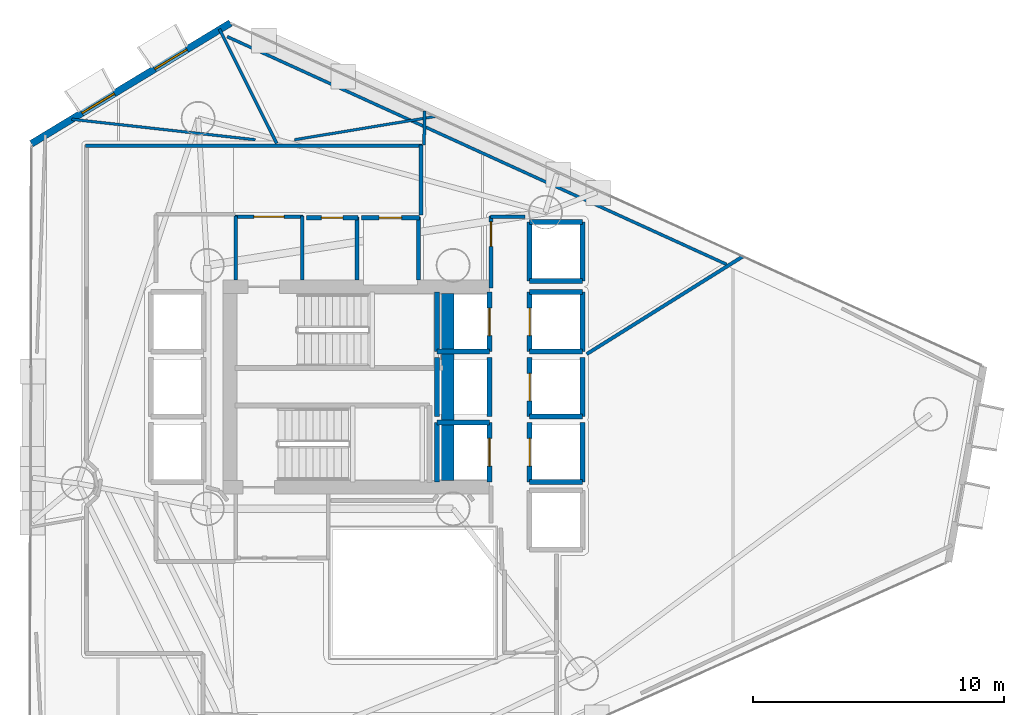
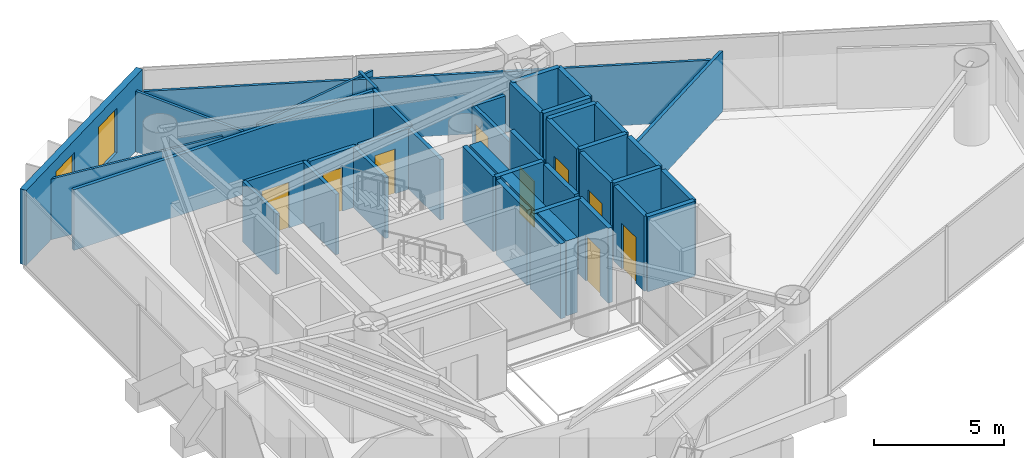
# One storey, part 19 of 23: 41 walls, 9 doors, 2 windows, 11 openings.
"""IFC4 building model written with IfcOpenShell, lengths in metres."""

from ifc_helpers import new_model, si_unit, direction, frame, frame_2d, origin, place, context, subcontext, project, spatial, rectangle, extrude, material, layer, layer_set, type_object, element, fill, save


model = new_model("IFC4")

# Units and contexts
model_context = context("Model", 3, precision=1e-05, world=origin(), true_north=direction((0.0, 1.0)))
body_context = subcontext(model_context, "Body", "Model", "MODEL_VIEW")
ifc_project = project(units=[si_unit("LENGTHUNIT", "METRE"), si_unit("AREAUNIT", "SQUARE_METRE"), si_unit("VOLUMEUNIT", "CUBIC_METRE"), si_unit("PLANEANGLEUNIT", "RADIAN"), si_unit("MASSUNIT", "GRAM", prefix="KILO")], contexts=[model_context])

# Site, building, storey
site_placement = place(None, origin())
site = spatial("IfcSite", under=ifc_project, at=site_placement, CompositionType="ELEMENT")
building_placement = place(site_placement, origin())
building = spatial("IfcBuilding", under=site, at=building_placement, Name="Qianvela Tower", CompositionType="ELEMENT")
storey_placement = place(building_placement, frame((0.0, 0.0, 147.60009765625)))
storey = spatial("IfcBuildingStorey", under=building, at=storey_placement, Name="L37", CompositionType="ELEMENT", Elevation=147.60009765625)

# Wall, openings, windows
ifc_material_1 = material(Name="Terracotta Cladding on Concrete C40", Category="masonry")
ifc_layer_1 = layer(ifc_material_1, 0.280029296875)
ifc_layer_set_1 = layer_set([ifc_layer_1], Name="Terracotta Cladding on Concrete C40")
wall_type_1 = type_object("IfcWallType", Name="TERRACOTTA-WALL-280", PredefinedType="SOLIDWALL", material=ifc_layer_set_1)
wall_1_placement = place(storey_placement, frame((29.525390625, 43.213134765625, 0.0), z_axis=(0.0, 0.0, 1.0), x_axis=(-0.855139521109, -0.518397916119, 0.0)))
wall_1 = element("IfcWall", 1, at=wall_1_placement, inside=storey, type_object=wall_type_1, Name="L37 Terracotta Chamfer Facet Wall 3", PredefinedType="SOLIDWALL", context=body_context, shape_type="SweptSolid", body=[
    extrude(rectangle(XDim=9.280029296875, YDim=0.280029296875, at=frame_2d((4.64013671875, 0.0))), origin(), (0.0, 0.0, 1.0), 3.52001953125),
])
opening_1_placement = place(wall_1_placement, frame((2.033935546875, 0.0, 0.85009765625)))
opening_1 = element("IfcOpeningElement", 2, at=opening_1_placement, cuts=wall_1, Name="Opening W-02", PredefinedType="OPENING", context=body_context, shape_type="SweptSolid", body=[
    extrude(rectangle(XDim=1.5, YDim=2.10009765625, at=frame_2d((0.75, 1.050048828125))), frame((0.0, 0.14990234375, 0.0), z_axis=(0.0, -1.0, 0.0), x_axis=(1.0, 0.0, 0.0)), (0.0, 0.0, 1.0), 0.300048828125),
])
opening_2_placement = place(wall_1_placement, frame((5.426025390625, 0.0, 0.85009765625)))
opening_2 = element("IfcOpeningElement", 3, at=opening_2_placement, cuts=wall_1, Name="Opening W-02", PredefinedType="OPENING", context=body_context, shape_type="SweptSolid", body=[
    extrude(rectangle(XDim=1.5, YDim=2.10009765625, at=frame_2d((0.75, 1.050048828125))), frame((0.0, 0.14990234375, 0.0), z_axis=(0.0, -1.0, 0.0), x_axis=(1.0, 0.0, 0.0)), (0.0, 0.0, 1.0), 0.300048828125),
])
ifc_material_2 = material(Name="Thermally Broken Aluminium and Low-E Glass", Category="aluminium")
window_type = type_object("IfcWindowType", Name="WIN-TC-1500x2100", PartitioningType="DOUBLE_PANEL_VERTICAL", PredefinedType="WINDOW", material=ifc_material_2)
window_1_placement = place(opening_1_placement, origin())
window_1 = element("IfcWindow", 4, at=window_1_placement, inside=storey, type_object=window_type, Name="L37 Chamfer Facet Window 3.1", OverallHeight=2.10009765625, OverallWidth=1.5, PartitioningType="SINGLE_PANEL", PredefinedType="WINDOW", context=body_context, shape_type="SweptSolid", body=[
    extrude(rectangle(XDim=1.5, YDim=2.10009765625, at=frame_2d((0.75, 1.050048828125))), frame((0.0, 0.030029296875, 0.0), z_axis=(0.0, -1.0, 0.0), x_axis=(1.0, 0.0, 0.0)), (0.0, 0.0, 1.0), 0.06005859375),
])
fill(opening_1, window_1)
window_2_placement = place(opening_2_placement, origin())
window_2 = element("IfcWindow", 5, at=window_2_placement, inside=storey, type_object=window_type, Name="L37 Chamfer Facet Window 3.2", OverallHeight=2.10009765625, OverallWidth=1.5, PartitioningType="SINGLE_PANEL", PredefinedType="WINDOW", context=body_context, shape_type="SweptSolid", body=[
    extrude(rectangle(XDim=1.5, YDim=2.10009765625, at=frame_2d((0.75, 1.050048828125))), frame((0.0, 0.030029296875, 0.0), z_axis=(0.0, -1.0, 0.0), x_axis=(1.0, 0.0, 0.0)), (0.0, 0.0, 1.0), 0.06005859375),
])
fill(opening_2, window_2)

# Walls
ifc_material_3 = material(Name="Concrete C60", Category="concrete")
ifc_layer_2 = layer(ifc_material_3, 0.550048828125)
ifc_layer_set_2 = layer_set([ifc_layer_2], Name="Concrete C60")
wall_type_2 = type_object("IfcWallType", Name="WT-CORE-550", PredefinedType="SHEAR", material=ifc_layer_set_2)
wall_2_placement = place(storey_placement, frame((38.179931640625, 24.97998046875, 0.0), z_axis=(0.0, 0.0, 1.0), x_axis=(0.0, 1.0, 0.0)))
element("IfcWall", 6, at=wall_2_placement, inside=storey, type_object=wall_type_2, Name="L37 East Spine Core Shear Wall", PredefinedType="SHEAR", context=body_context, shape_type="SweptSolid", body=[
    extrude(rectangle(XDim=7.43994140625, YDim=0.5, at=frame_2d((3.719970703125, 0.0))), origin(), (0.0, 0.0, 1.0), 3.52001953125),
])
ifc_material_4 = material(Name="Fire-Rated Acoustic Gypsum Board")
ifc_layer_3 = layer(ifc_material_4, 0.14990234375)
ifc_layer_set_3 = layer_set([ifc_layer_3], Name="Fire-Rated Acoustic Gypsum Board")
wall_type_3 = type_object("IfcWallType", Name="WT-CORR-150", PredefinedType="PARTITIONING", material=ifc_layer_set_3)
wall_3_placement = place(storey_placement, frame((29.73095703125, 32.9580078125, 0.0), z_axis=(0.0, 0.0, 1.0), x_axis=(0.0, 1.0, 0.0)))
element("IfcWall", 7, at=wall_3_placement, inside=storey, type_object=wall_type_3, Name="L37 Partition 2", PredefinedType="PARTITIONING", context=body_context, shape_type="SweptSolid", body=[
    extrude(rectangle(XDim=2.56201171875, YDim=0.14990234375, at=frame_2d((1.281005859375, 0.0))), origin(), (0.0, 0.0, 1.0), 2.83984375),
])

# Wall, opening, door
wall_4_placement = place(storey_placement, frame((29.699951171875, 35.489013671875, 0.0), z_axis=(0.0, 0.0, 1.0), x_axis=(1.0, 0.0, 0.0)))
wall_4 = element("IfcWall", 8, at=wall_4_placement, inside=storey, type_object=wall_type_3, Name="L37 Partition 3", PredefinedType="PARTITIONING", context=body_context, shape_type="SweptSolid", body=[
    extrude(rectangle(XDim=2.719970703125, YDim=0.14990234375, at=frame_2d((1.35986328125, 0.0))), origin(), (0.0, 0.0, 1.0), 2.83984375),
])
opening_3_placement = place(wall_4_placement, frame((0.760009765625, 0.0, 0.0)))
opening_3 = element("IfcOpeningElement", 9, at=opening_3_placement, cuts=wall_4, Name="Opening D-LB1", PredefinedType="OPENING", context=body_context, shape_type="SweptSolid", body=[
    extrude(rectangle(XDim=1.199951171875, YDim=2.14990234375, at=frame_2d((0.60009765625, 1.074951171875))), frame((0.0, 0.0849609375, 0.0), z_axis=(0.0, -1.0, 0.0), x_axis=(1.0, 0.0, 0.0)), (0.0, 0.0, 1.0), 0.169921875),
])
ifc_material_5 = material(Name="Glazed Fire-Rated Steel Frame", Category="steel")
door_type_1 = type_object("IfcDoorType", Name="DT-LOBBY-FD90", OperationType="NOTDEFINED", PredefinedType="DOOR", material=ifc_material_5)
door_1_placement = place(opening_3_placement, origin())
door_1 = element("IfcDoor", 10, at=door_1_placement, inside=storey, type_object=door_type_1, Name="L37 Door L37 Firefighting Lobby North to L37 Floor Corridor", OperationType="SINGLE_SWING_LEFT", OverallHeight=2.14990234375, OverallWidth=1.199951171875, PredefinedType="DOOR", context=body_context, shape_type="SweptSolid", body=[
    extrude(rectangle(XDim=1.199951171875, YDim=2.14990234375, at=frame_2d((0.60009765625, 1.074951171875))), frame((0.0, 0.02490234375, 0.0), z_axis=(0.0, -1.0, 0.0), x_axis=(1.0, 0.0, 0.0)), (0.0, 0.0, 1.0), 0.050048828125),
])
fill(opening_3, door_1)

# Wall
wall_5_placement = place(storey_placement, frame((32.388916015625, 35.52001953125, 0.0), z_axis=(0.0, 0.0, 1.0), x_axis=(0.0, -1.0, 0.0)))
element("IfcWall", 11, at=wall_5_placement, inside=storey, type_object=wall_type_3, Name="L37 Partition 4", PredefinedType="PARTITIONING", context=body_context, shape_type="SweptSolid", body=[
    extrude(rectangle(XDim=2.56201171875, YDim=0.14990234375, at=frame_2d((1.281005859375, 0.0))), origin(), (0.0, 0.0, 1.0), 2.83984375),
])

# Wall, opening, door
wall_6_placement = place(storey_placement, frame((39.910888671875, 32.639892578125, 0.0), z_axis=(0.0, 0.0, 1.0), x_axis=(0.0, 1.0, 0.0)))
wall_6 = element("IfcWall", 12, at=wall_6_placement, inside=storey, type_object=wall_type_3, Name="L37 Partition 12", PredefinedType="PARTITIONING", context=body_context, shape_type="SweptSolid", body=[
    extrude(rectangle(XDim=2.880126953125, YDim=0.14990234375, at=frame_2d((1.43994140625, 0.0))), origin(), (0.0, 0.0, 1.0), 2.83984375),
])
opening_4_placement = place(wall_6_placement, frame((1.669921875, 0.0, 0.0)))
opening_4 = element("IfcOpeningElement", 13, at=opening_4_placement, cuts=wall_6, Name="Opening D-RM1", PredefinedType="OPENING", context=body_context, shape_type="SweptSolid", body=[
    extrude(rectangle(XDim=0.97998046875, YDim=2.10009765625, at=frame_2d((0.489990234375, 1.050048828125))), frame((0.0, 0.0849609375, 0.0), z_axis=(0.0, -1.0, 0.0), x_axis=(1.0, 0.0, 0.0)), (0.0, 0.0, 1.0), 0.169921875),
])
ifc_material_6 = material(Name="Solid Core Acoustic Timber Fire Door", Category="wood")
door_type_2 = type_object("IfcDoorType", Name="DT-ROOM-FD60", OperationType="NOTDEFINED", PredefinedType="DOOR", material=ifc_material_6)
door_2_placement = place(opening_4_placement, origin())
door_2 = element("IfcDoor", 14, at=door_2_placement, inside=storey, type_object=door_type_2, Name="L37 Door Stationery Supply Boutique L37-05 to L37 Lift Lobby", OperationType="SINGLE_SWING_RIGHT", OverallHeight=2.10009765625, OverallWidth=0.97998046875, PredefinedType="DOOR", context=body_context, shape_type="SweptSolid", body=[
    extrude(rectangle(XDim=0.97998046875, YDim=2.10009765625, at=frame_2d((0.489990234375, 1.050048828125))), frame((0.0, 0.02490234375, 0.0), z_axis=(0.0, -1.0, 0.0), x_axis=(1.0, 0.0, 0.0)), (0.0, 0.0, 1.0), 0.050048828125),
])
fill(opening_4, door_2)

# Walls
wall_7_placement = place(storey_placement, frame((39.8798828125, 35.489013671875, 0.0), z_axis=(0.0, 0.0, 1.0), x_axis=(1.0, 0.0, 0.0)))
element("IfcWall", 15, at=wall_7_placement, inside=storey, type_object=wall_type_3, Name="L37 Partition 13", PredefinedType="PARTITIONING", context=body_context, shape_type="SweptSolid", body=[
    extrude(rectangle(XDim=1.3828125, YDim=0.14990234375, at=frame_2d((0.69140625, 0.0))), origin(), (0.0, 0.0, 1.0), 2.83984375),
])
wall_8_placement = place(storey_placement, frame((23.75, 38.319091796875, 0.0), z_axis=(0.0, 0.0, 1.0), x_axis=(1.0, 0.0, 0.0)))
element("IfcWall", 16, at=wall_8_placement, inside=storey, type_object=wall_type_3, Name="L37 Partition 46", PredefinedType="PARTITIONING", context=body_context, shape_type="SweptSolid", body=[
    extrude(rectangle(XDim=13.39990234375, YDim=0.14990234375, at=frame_2d((6.699951171875, 0.0))), origin(), (0.0, 0.0, 1.0), 2.83984375),
])
wall_9_placement = place(storey_placement, frame((37.118896484375, 38.35009765625, 0.0), z_axis=(0.0, 0.0, 1.0), x_axis=(0.0, -1.0, 0.0)))
element("IfcWall", 17, at=wall_9_placement, inside=storey, type_object=wall_type_3, Name="L37 Partition 47 seg 1", PredefinedType="PARTITIONING", context=body_context, shape_type="SweptSolid", body=[
    extrude(rectangle(XDim=2.7900390625, YDim=0.14990234375, at=frame_2d((1.39501953125, 0.0))), origin(), (0.0, 0.0, 1.0), 2.83984375),
])
ifc_material_7 = material(Name="Lightweight Gypsum Room Partition")
ifc_layer_4 = layer(ifc_material_7, 0.10498046875)
ifc_layer_set_4 = layer_set([ifc_layer_4], Name="Lightweight Gypsum Room Partition")
wall_type_4 = type_object("IfcWallType", Name="WT-PART-105", PredefinedType="PARTITIONING", material=ifc_layer_set_4)
wall_10_placement = place(storey_placement, frame((30.5126953125, 38.55908203125, 0.0), z_axis=(0.0, 0.0, 1.0), x_axis=(-0.993829835161, 0.110915547798, 0.0)))
element("IfcWall", 18, at=wall_10_placement, inside=storey, type_object=wall_type_4, Name="L37 Partition 105 seg 1", PredefinedType="PARTITIONING", context=body_context, shape_type="SweptSolid", body=[
    extrude(rectangle(XDim=7.36279296875, YDim=0.10498046875, at=frame_2d((3.681396484375, 0.0))), origin(), (0.0, 0.0, 1.0), 2.83984375),
])
wall_11_placement = place(storey_placement, frame((37.69384765625, 39.48828125, 0.0), z_axis=(0.0, 0.0, 1.0), x_axis=(-0.986591392512, -0.163209755288, 0.0)))
element("IfcWall", 19, at=wall_11_placement, inside=storey, type_object=wall_type_4, Name="L37 Partition 114 seg 1", PredefinedType="PARTITIONING", context=body_context, shape_type="SweptSolid", body=[
    extrude(rectangle(XDim=5.693359375, YDim=0.10498046875, at=frame_2d((2.8466796875, 0.0))), origin(), (0.0, 0.0, 1.0), 2.83984375),
])
ifc_material_8 = material(Name="Insulated Gypsum Stud Partition")
ifc_layer_5 = layer(ifc_material_8, 0.1201171875)
ifc_layer_set_5 = layer_set([ifc_layer_5], Name="Insulated Gypsum Stud Partition")
wall_type_5 = type_object("IfcWallType", Name="WT-PART-120", PredefinedType="PARTITIONING", material=ifc_layer_set_5)
wall_12_placement = place(storey_placement, frame((29.08203125, 42.9677734375, 0.0), z_axis=(0.0, 0.0, 1.0), x_axis=(0.448019013955, -0.894024028276, 0.0)))
element("IfcWall", 20, at=wall_12_placement, inside=storey, type_object=wall_type_5, Name="L37 Partition 104", PredefinedType="PARTITIONING", context=body_context, shape_type="SweptSolid", body=[
    extrude(rectangle(XDim=5.09130859375, YDim=0.1201171875, at=frame_2d((2.545654296875, 0.0))), origin(), (0.0, 0.0, 1.0), 2.83984375),
])
wall_13_placement = place(storey_placement, frame((37.2421875, 38.35009765625, 0.0), z_axis=(0.0, 0.0, 1.0), x_axis=(0.014227666381, 0.999898781632, 0.0)))
element("IfcWall", 21, at=wall_13_placement, inside=storey, type_object=wall_type_5, Name="L37 Partition 113 seg 2", PredefinedType="PARTITIONING", context=body_context, shape_type="SweptSolid", body=[
    extrude(rectangle(XDim=1.355712890625, YDim=0.1201171875, at=frame_2d((0.677734375, 0.0))), origin(), (0.0, 0.0, 1.0), 2.83984375),
])
wall_14_placement = place(storey_placement, frame((29.389892578125, 42.669189453125, 0.0), z_axis=(0.0, 0.0, 1.0), x_axis=(0.90986951671, -0.414894519802, 0.0)))
element("IfcWall", 22, at=wall_14_placement, inside=storey, type_object=wall_type_5, Name="L37 Partition 116", PredefinedType="PARTITIONING", context=body_context, shape_type="SweptSolid", body=[
    extrude(rectangle(XDim=21.883544921875, YDim=0.1201171875, at=frame_2d((10.94189453125, 0.0))), origin(), (0.0, 0.0, 1.0), 2.83984375),
])

# Wall, opening, door
ifc_material_9 = material(Name="Sanitary Service Chase Partition")
ifc_layer_6 = layer(ifc_material_9, 0.1650390625)
ifc_layer_set_6 = layer_set([ifc_layer_6], Name="Sanitary Service Chase Partition")
wall_type_6 = type_object("IfcWallType", Name="WT-PLUMB-165", PredefinedType="PLUMBINGWALL", material=ifc_layer_set_6)
wall_15_placement = place(storey_placement, frame((32.550048828125, 35.448974609375, 0.0), z_axis=(0.0, 0.0, 1.0), x_axis=(1.0, 0.0, 0.0)))
wall_15 = element("IfcWall", 23, at=wall_15_placement, inside=storey, type_object=wall_type_6, Name="L37 Partition 22", PredefinedType="PLUMBINGWALL", context=body_context, shape_type="SweptSolid", body=[
    extrude(rectangle(XDim=2.050048828125, YDim=0.1650390625, at=frame_2d((1.02490234375, 0.0))), origin(), (0.0, 0.0, 1.0), 2.83984375),
])
opening_5_placement = place(wall_15_placement, frame((0.594970703125, 0.0, 0.0)))
opening_5 = element("IfcOpeningElement", 24, at=opening_5_placement, cuts=wall_15, Name="Opening D-WC1", PredefinedType="OPENING", context=body_context, shape_type="SweptSolid", body=[
    extrude(rectangle(XDim=0.860107421875, YDim=2.050048828125, at=frame_2d((0.43017578125, 1.02490234375))), frame((0.0, 0.092529296875, 0.0), z_axis=(0.0, -1.0, 0.0), x_axis=(1.0, 0.0, 0.0)), (0.0, 0.0, 1.0), 0.18505859375),
])
ifc_material_10 = material(Name="Moisture-Sealed Acoustic Timber Door", Category="wood")
door_type_3 = type_object("IfcDoorType", Name="DT-WC-860", OperationType="NOTDEFINED", PredefinedType="DOOR", material=ifc_material_10)
door_3_placement = place(opening_5_placement, origin())
door_3 = element("IfcDoor", 25, at=door_3_placement, inside=storey, type_object=door_type_3, Name="L37 Door L37 Accessible WC to L37 Floor Corridor", OperationType="SINGLE_SWING_RIGHT", OverallHeight=2.050048828125, OverallWidth=0.860107421875, PredefinedType="DOOR", context=body_context, shape_type="SweptSolid", body=[
    extrude(rectangle(XDim=0.860107421875, YDim=2.050048828125, at=frame_2d((0.43017578125, 1.02490234375))), frame((0.0, 0.02490234375, 0.0), z_axis=(0.0, -1.0, 0.0), x_axis=(1.0, 0.0, 0.0)), (0.0, 0.0, 1.0), 0.050048828125),
])
fill(opening_5, door_3)

# Wall
wall_16_placement = place(storey_placement, frame((34.569091796875, 35.47998046875, 0.0), z_axis=(0.0, 0.0, 1.0), x_axis=(0.0, -1.0, 0.0)))
element("IfcWall", 26, at=wall_16_placement, inside=storey, type_object=wall_type_6, Name="L37 Partition 23", PredefinedType="PLUMBINGWALL", context=body_context, shape_type="SweptSolid", body=[
    extrude(rectangle(XDim=2.52197265625, YDim=0.1650390625, at=frame_2d((1.260986328125, 0.0))), origin(), (0.0, 0.0, 1.0), 2.83984375),
])

# Wall, opening, door
wall_17_placement = place(storey_placement, frame((34.75, 35.448974609375, 0.0), z_axis=(0.0, 0.0, 1.0), x_axis=(1.0, 0.0, 0.0)))
wall_17 = element("IfcWall", 27, at=wall_17_placement, inside=storey, type_object=wall_type_6, Name="L37 Partition 26", PredefinedType="PLUMBINGWALL", context=body_context, shape_type="SweptSolid", body=[
    extrude(rectangle(XDim=2.300048828125, YDim=0.1650390625, at=frame_2d((1.14990234375, 0.0))), origin(), (0.0, 0.0, 1.0), 2.83984375),
])
opening_6_placement = place(wall_17_placement, frame((0.699951171875, 0.0, 0.0)))
opening_6 = element("IfcOpeningElement", 28, at=opening_6_placement, cuts=wall_17, Name="Opening D-KT1", PredefinedType="OPENING", context=body_context, shape_type="SweptSolid", body=[
    extrude(rectangle(XDim=0.89990234375, YDim=2.10009765625, at=frame_2d((0.449951171875, 1.050048828125))), frame((0.0, 0.092529296875, 0.0), z_axis=(0.0, -1.0, 0.0), x_axis=(1.0, 0.0, 0.0)), (0.0, 0.0, 1.0), 0.18505859375),
])
ifc_material_11 = material(Name="Glazed Timber Kitchen Door", Category="wood")
door_type_4 = type_object("IfcDoorType", Name="DT-KITCH-900", OperationType="NOTDEFINED", PredefinedType="DOOR", material=ifc_material_11)
door_4_placement = place(opening_6_placement, origin())
door_4 = element("IfcDoor", 29, at=door_4_placement, inside=storey, type_object=door_type_4, Name="L37 Door L37 Core Tea Pantry to L37 Floor Corridor", OperationType="SINGLE_SWING_LEFT", OverallHeight=2.10009765625, OverallWidth=0.89990234375, PredefinedType="DOOR", context=body_context, shape_type="SweptSolid", body=[
    extrude(rectangle(XDim=0.89990234375, YDim=2.10009765625, at=frame_2d((0.449951171875, 1.050048828125))), frame((0.0, 0.02490234375, 0.0), z_axis=(0.0, -1.0, 0.0), x_axis=(1.0, 0.0, 0.0)), (0.0, 0.0, 1.0), 0.050048828125),
])
fill(opening_6, door_4)

# Walls
wall_18_placement = place(storey_placement, frame((37.01904296875, 35.47998046875, 0.0), z_axis=(0.0, 0.0, 1.0), x_axis=(0.0, -1.0, 0.0)))
element("IfcWall", 30, at=wall_18_placement, inside=storey, type_object=wall_type_6, Name="L37 Partition 27", PredefinedType="PLUMBINGWALL", context=body_context, shape_type="SweptSolid", body=[
    extrude(rectangle(XDim=2.52197265625, YDim=0.1650390625, at=frame_2d((1.260986328125, 0.0))), origin(), (0.0, 0.0, 1.0), 2.83984375),
])
ifc_material_12 = material(Name="Acoustic Double Gypsum Stud Partition")
ifc_layer_7 = layer(ifc_material_12, 0.139892578125)
ifc_layer_set_7 = layer_set([ifc_layer_7], Name="Acoustic Double Gypsum Stud Partition")
wall_type_7 = type_object("IfcWallType", Name="WT-ROOM-140", PredefinedType="PARTITIONING", material=ifc_layer_set_7)
wall_19_placement = place(storey_placement, frame((43.723388671875, 30.014892578125, 0.0), z_axis=(0.0, 0.0, 1.0), x_axis=(0.848054240765, 0.529909430677, 0.0)))
element("IfcWall", 31, at=wall_19_placement, inside=storey, type_object=wall_type_7, Name="L37 Partition 94", PredefinedType="PARTITIONING", context=body_context, shape_type="SweptSolid", body=[
    extrude(rectangle(XDim=7.35546875, YDim=0.139892578125, at=frame_2d((3.677734375, 0.0))), origin(), (0.0, 0.0, 1.0), 2.83984375),
])

# Wall, opening, door
ifc_material_13 = material(Name="Concrete C50", Category="concrete")
ifc_layer_8 = layer(ifc_material_13, 0.199951171875)
ifc_layer_set_8 = layer_set([ifc_layer_8], Name="Concrete C50")
wall_type_8 = type_object("IfcWallType", Name="WT-SHAFT-200", PredefinedType="SOLIDWALL", material=ifc_layer_set_8)
wall_20_placement = place(storey_placement, frame((39.85009765625, 30.1201171875, 0.0), z_axis=(0.0, 0.0, 1.0), x_axis=(0.0, 1.0, 0.0)))
wall_20 = element("IfcWall", 32, at=wall_20_placement, inside=storey, type_object=wall_type_8, Name="L37 Lift FL-1 E Shaft Wall", PredefinedType="SOLIDWALL", context=body_context, shape_type="SweptSolid", body=[
    extrude(rectangle(XDim=2.35986328125, YDim=0.199951171875, at=frame_2d((1.179931640625, 0.0))), origin(), (0.0, 0.0, 1.0), 3.52001953125),
])
opening_7_placement = place(wall_20_placement, frame((0.6298828125, 0.0, 0.0)))
opening_7 = element("IfcOpeningElement", 33, at=opening_7_placement, cuts=wall_20, Name="Opening LD-01", PredefinedType="OPENING", context=body_context, shape_type="SweptSolid", body=[
    extrude(rectangle(XDim=1.10009765625, YDim=2.14990234375, at=frame_2d((0.550048828125, 1.074951171875))), frame((0.0, 0.10986328125, 0.0), z_axis=(0.0, -1.0, 0.0), x_axis=(1.0, 0.0, 0.0)), (0.0, 0.0, 1.0), 0.219970703125),
])
ifc_material_14 = material(Name="Brushed Stainless Steel Lift Landing Door", Category="steel")
door_type_5 = type_object("IfcDoorType", Name="DT-LIFT-SLIDE-1100", OperationType="SLIDING_TO_LEFT", PredefinedType="DOOR", material=ifc_material_14)
door_5_placement = place(opening_7_placement, origin())
door_5 = element("IfcDoor", 34, at=door_5_placement, inside=storey, type_object=door_type_5, Name="L37 Lift FL-1 Sliding Landing Door", OperationType="SLIDING_TO_LEFT", OverallHeight=2.14990234375, OverallWidth=1.10009765625, PredefinedType="DOOR", context=body_context, shape_type="SweptSolid", body=[
    extrude(rectangle(XDim=1.10009765625, YDim=2.14990234375, at=frame_2d((0.550048828125, 1.074951171875))), frame((0.0, 0.02490234375, 0.0), z_axis=(0.0, -1.0, 0.0), x_axis=(1.0, 0.0, 0.0)), (0.0, 0.0, 1.0), 0.050048828125),
])
fill(opening_7, door_5)

# Walls
wall_21_placement = place(storey_placement, frame((37.75, 30.1201171875, 0.0), z_axis=(0.0, 0.0, 1.0), x_axis=(0.0, 1.0, 0.0)))
element("IfcWall", 35, at=wall_21_placement, inside=storey, type_object=wall_type_8, Name="L37 Lift FL-1 W Shaft Wall", PredefinedType="SOLIDWALL", context=body_context, shape_type="SweptSolid", body=[
    extrude(rectangle(XDim=2.35986328125, YDim=0.199951171875, at=frame_2d((1.179931640625, 0.0))), origin(), (0.0, 0.0, 1.0), 3.52001953125),
])
wall_22_placement = place(storey_placement, frame((37.75, 30.1201171875, 0.0), z_axis=(0.0, 0.0, 1.0), x_axis=(1.0, 0.0, 0.0)))
element("IfcWall", 36, at=wall_22_placement, inside=storey, type_object=wall_type_8, Name="L37 Lift FL-1 S Shaft Wall", PredefinedType="SOLIDWALL", context=body_context, shape_type="SweptSolid", body=[
    extrude(rectangle(XDim=2.10009765625, YDim=0.199951171875, at=frame_2d((1.050048828125, 0.0))), origin(), (0.0, 0.0, 1.0), 3.52001953125),
])

# Wall, opening, door
wall_23_placement = place(storey_placement, frame((39.85009765625, 24.919921875, 0.0), z_axis=(0.0, 0.0, 1.0), x_axis=(0.0, 1.0, 0.0)))
wall_23 = element("IfcWall", 37, at=wall_23_placement, inside=storey, type_object=wall_type_8, Name="L37 Lift FL-2 E Shaft Wall", PredefinedType="SOLIDWALL", context=body_context, shape_type="SweptSolid", body=[
    extrude(rectangle(XDim=2.360107421875, YDim=0.199951171875, at=frame_2d((1.18017578125, 0.0))), origin(), (0.0, 0.0, 1.0), 3.52001953125),
])
opening_8_placement = place(wall_23_placement, frame((0.6298828125, 0.0, 0.0)))
opening_8 = element("IfcOpeningElement", 38, at=opening_8_placement, cuts=wall_23, Name="Opening LD-01", PredefinedType="OPENING", context=body_context, shape_type="SweptSolid", body=[
    extrude(rectangle(XDim=1.10009765625, YDim=2.14990234375, at=frame_2d((0.550048828125, 1.074951171875))), frame((0.0, 0.10986328125, 0.0), z_axis=(0.0, -1.0, 0.0), x_axis=(1.0, 0.0, 0.0)), (0.0, 0.0, 1.0), 0.219970703125),
])
door_6_placement = place(opening_8_placement, origin())
door_6 = element("IfcDoor", 39, at=door_6_placement, inside=storey, type_object=door_type_5, Name="L37 Lift FL-2 Sliding Landing Door", OperationType="SLIDING_TO_LEFT", OverallHeight=2.14990234375, OverallWidth=1.10009765625, PredefinedType="DOOR", context=body_context, shape_type="SweptSolid", body=[
    extrude(rectangle(XDim=1.10009765625, YDim=2.14990234375, at=frame_2d((0.550048828125, 1.074951171875))), frame((0.0, 0.02490234375, 0.0), z_axis=(0.0, -1.0, 0.0), x_axis=(1.0, 0.0, 0.0)), (0.0, 0.0, 1.0), 0.050048828125),
])
fill(opening_8, door_6)

# Walls
wall_24_placement = place(storey_placement, frame((37.75, 24.919921875, 0.0), z_axis=(0.0, 0.0, 1.0), x_axis=(0.0, 1.0, 0.0)))
element("IfcWall", 40, at=wall_24_placement, inside=storey, type_object=wall_type_8, Name="L37 Lift FL-2 W Shaft Wall", PredefinedType="SOLIDWALL", context=body_context, shape_type="SweptSolid", body=[
    extrude(rectangle(XDim=2.360107421875, YDim=0.199951171875, at=frame_2d((1.18017578125, 0.0))), origin(), (0.0, 0.0, 1.0), 3.52001953125),
])
wall_25_placement = place(storey_placement, frame((37.75, 27.280029296875, 0.0), z_axis=(0.0, 0.0, 1.0), x_axis=(1.0, 0.0, 0.0)))
element("IfcWall", 41, at=wall_25_placement, inside=storey, type_object=wall_type_8, Name="L37 Lift FL-2 N Shaft Wall", PredefinedType="SOLIDWALL", context=body_context, shape_type="SweptSolid", body=[
    extrude(rectangle(XDim=2.10009765625, YDim=0.199951171875, at=frame_2d((1.050048828125, 0.0))), origin(), (0.0, 0.0, 1.0), 3.52001953125),
])
wall_26_placement = place(storey_placement, frame((43.550048828125, 30.1201171875, 0.0), z_axis=(0.0, 0.0, 1.0), x_axis=(0.0, 1.0, 0.0)))
element("IfcWall", 42, at=wall_26_placement, inside=storey, type_object=wall_type_8, Name="L37 Lift PL-M1 E Shaft Wall", PredefinedType="SOLIDWALL", context=body_context, shape_type="SweptSolid", body=[
    extrude(rectangle(XDim=2.35986328125, YDim=0.199951171875, at=frame_2d((1.179931640625, 0.0))), origin(), (0.0, 0.0, 1.0), 3.52001953125),
])

# Wall, opening, door
wall_27_placement = place(storey_placement, frame((41.449951171875, 30.1201171875, 0.0), z_axis=(0.0, 0.0, 1.0), x_axis=(0.0, 1.0, 0.0)))
wall_27 = element("IfcWall", 43, at=wall_27_placement, inside=storey, type_object=wall_type_8, Name="L37 Lift PL-M1 W Shaft Wall", PredefinedType="SOLIDWALL", context=body_context, shape_type="SweptSolid", body=[
    extrude(rectangle(XDim=2.35986328125, YDim=0.199951171875, at=frame_2d((1.179931640625, 0.0))), origin(), (0.0, 0.0, 1.0), 3.52001953125),
])
opening_9_placement = place(wall_27_placement, frame((0.6298828125, 0.0, 0.0)))
opening_9 = element("IfcOpeningElement", 44, at=opening_9_placement, cuts=wall_27, Name="Opening LD-01", PredefinedType="OPENING", context=body_context, shape_type="SweptSolid", body=[
    extrude(rectangle(XDim=1.10009765625, YDim=2.14990234375, at=frame_2d((0.550048828125, 1.074951171875))), frame((0.0, 0.10986328125, 0.0), z_axis=(0.0, -1.0, 0.0), x_axis=(1.0, 0.0, 0.0)), (0.0, 0.0, 1.0), 0.219970703125),
])
door_7_placement = place(opening_9_placement, origin())
door_7 = element("IfcDoor", 45, at=door_7_placement, inside=storey, type_object=door_type_5, Name="L37 Lift PL-M1 Sliding Landing Door", OperationType="SLIDING_TO_LEFT", OverallHeight=2.14990234375, OverallWidth=1.10009765625, PredefinedType="DOOR", context=body_context, shape_type="SweptSolid", body=[
    extrude(rectangle(XDim=1.10009765625, YDim=2.14990234375, at=frame_2d((0.550048828125, 1.074951171875))), frame((0.0, 0.02490234375, 0.0), z_axis=(0.0, -1.0, 0.0), x_axis=(1.0, 0.0, 0.0)), (0.0, 0.0, 1.0), 0.050048828125),
])
fill(opening_9, door_7)

# Walls
for number, where, z_axis, x_axis, name in (
    (46, (41.449951171875, 32.47998046875, 0.0), (0.0, 0.0, 1.0), (1.0, 0.0, 0.0), "L37 Lift PL-M1 N Shaft Wall"),
    (47, (41.449951171875, 30.1201171875, 0.0), (0.0, 0.0, 1.0), (1.0, 0.0, 0.0), "L37 Lift PL-M1 S Shaft Wall"),
):
    element("IfcWall", number, at=place(storey_placement, frame(where, z_axis=z_axis, x_axis=x_axis)), inside=storey, type_object=wall_type_8, Name=name, PredefinedType="SOLIDWALL", context=body_context, shape_type="SweptSolid", body=[
        extrude(rectangle(XDim=2.10009765625, YDim=0.199951171875, at=frame_2d((1.050048828125, 0.0))), origin(), (0.0, 0.0, 1.0), 3.52001953125),
    ])
wall_28_placement = place(storey_placement, frame((43.550048828125, 27.52001953125, 0.0), z_axis=(0.0, 0.0, 1.0), x_axis=(0.0, 1.0, 0.0)))
element("IfcWall", 48, at=wall_28_placement, inside=storey, type_object=wall_type_8, Name="L37 Lift PL-M2 E Shaft Wall", PredefinedType="SOLIDWALL", context=body_context, shape_type="SweptSolid", body=[
    extrude(rectangle(XDim=2.35986328125, YDim=0.199951171875, at=frame_2d((1.179931640625, 0.0))), origin(), (0.0, 0.0, 1.0), 3.52001953125),
])

# Wall, opening, door
wall_29_placement = place(storey_placement, frame((41.449951171875, 27.52001953125, 0.0), z_axis=(0.0, 0.0, 1.0), x_axis=(0.0, 1.0, 0.0)))
wall_29 = element("IfcWall", 49, at=wall_29_placement, inside=storey, type_object=wall_type_8, Name="L37 Lift PL-M2 W Shaft Wall", PredefinedType="SOLIDWALL", context=body_context, shape_type="SweptSolid", body=[
    extrude(rectangle(XDim=2.35986328125, YDim=0.199951171875, at=frame_2d((1.179931640625, 0.0))), origin(), (0.0, 0.0, 1.0), 3.52001953125),
])
opening_10_placement = place(wall_29_placement, frame((0.6298828125, 0.0, 0.0)))
opening_10 = element("IfcOpeningElement", 50, at=opening_10_placement, cuts=wall_29, Name="Opening LD-01", PredefinedType="OPENING", context=body_context, shape_type="SweptSolid", body=[
    extrude(rectangle(XDim=1.10009765625, YDim=2.14990234375, at=frame_2d((0.550048828125, 1.074951171875))), frame((0.0, 0.10986328125, 0.0), z_axis=(0.0, -1.0, 0.0), x_axis=(1.0, 0.0, 0.0)), (0.0, 0.0, 1.0), 0.219970703125),
])
door_8_placement = place(opening_10_placement, origin())
door_8 = element("IfcDoor", 51, at=door_8_placement, inside=storey, type_object=door_type_5, Name="L37 Lift PL-M2 Sliding Landing Door", OperationType="SLIDING_TO_LEFT", OverallHeight=2.14990234375, OverallWidth=1.10009765625, PredefinedType="DOOR", context=body_context, shape_type="SweptSolid", body=[
    extrude(rectangle(XDim=1.10009765625, YDim=2.14990234375, at=frame_2d((0.550048828125, 1.074951171875))), frame((0.0, 0.02490234375, 0.0), z_axis=(0.0, -1.0, 0.0), x_axis=(1.0, 0.0, 0.0)), (0.0, 0.0, 1.0), 0.050048828125),
])
fill(opening_10, door_8)

# Walls
wall_30_placement = place(storey_placement, frame((41.449951171875, 27.52001953125, 0.0), z_axis=(0.0, 0.0, 1.0), x_axis=(1.0, 0.0, 0.0)))
element("IfcWall", 52, at=wall_30_placement, inside=storey, type_object=wall_type_8, Name="L37 Lift PL-M2 S Shaft Wall", PredefinedType="SOLIDWALL", context=body_context, shape_type="SweptSolid", body=[
    extrude(rectangle(XDim=2.10009765625, YDim=0.199951171875, at=frame_2d((1.050048828125, 0.0))), origin(), (0.0, 0.0, 1.0), 3.52001953125),
])
wall_31_placement = place(storey_placement, frame((43.550048828125, 24.919921875, 0.0), z_axis=(0.0, 0.0, 1.0), x_axis=(0.0, 1.0, 0.0)))
element("IfcWall", 53, at=wall_31_placement, inside=storey, type_object=wall_type_8, Name="L37 Lift PL-M3 E Shaft Wall", PredefinedType="SOLIDWALL", context=body_context, shape_type="SweptSolid", body=[
    extrude(rectangle(XDim=2.360107421875, YDim=0.199951171875, at=frame_2d((1.18017578125, 0.0))), origin(), (0.0, 0.0, 1.0), 3.52001953125),
])

# Wall, opening, door
wall_32_placement = place(storey_placement, frame((41.449951171875, 24.919921875, 0.0), z_axis=(0.0, 0.0, 1.0), x_axis=(0.0, 1.0, 0.0)))
wall_32 = element("IfcWall", 54, at=wall_32_placement, inside=storey, type_object=wall_type_8, Name="L37 Lift PL-M3 W Shaft Wall", PredefinedType="SOLIDWALL", context=body_context, shape_type="SweptSolid", body=[
    extrude(rectangle(XDim=2.360107421875, YDim=0.199951171875, at=frame_2d((1.18017578125, 0.0))), origin(), (0.0, 0.0, 1.0), 3.52001953125),
])
opening_11_placement = place(wall_32_placement, frame((0.6298828125, 0.0, 0.0)))
opening_11 = element("IfcOpeningElement", 55, at=opening_11_placement, cuts=wall_32, Name="Opening LD-01", PredefinedType="OPENING", context=body_context, shape_type="SweptSolid", body=[
    extrude(rectangle(XDim=1.10009765625, YDim=2.14990234375, at=frame_2d((0.550048828125, 1.074951171875))), frame((0.0, 0.10986328125, 0.0), z_axis=(0.0, -1.0, 0.0), x_axis=(1.0, 0.0, 0.0)), (0.0, 0.0, 1.0), 0.219970703125),
])
door_9_placement = place(opening_11_placement, origin())
door_9 = element("IfcDoor", 56, at=door_9_placement, inside=storey, type_object=door_type_5, Name="L37 Lift PL-M3 Sliding Landing Door", OperationType="SLIDING_TO_LEFT", OverallHeight=2.14990234375, OverallWidth=1.10009765625, PredefinedType="DOOR", context=body_context, shape_type="SweptSolid", body=[
    extrude(rectangle(XDim=1.10009765625, YDim=2.14990234375, at=frame_2d((0.550048828125, 1.074951171875))), frame((0.0, 0.02490234375, 0.0), z_axis=(0.0, -1.0, 0.0), x_axis=(1.0, 0.0, 0.0)), (0.0, 0.0, 1.0), 0.050048828125),
])
fill(opening_11, door_9)

# Walls
wall_33_placement = place(storey_placement, frame((41.449951171875, 24.919921875, 0.0), z_axis=(0.0, 0.0, 1.0), x_axis=(1.0, 0.0, 0.0)))
element("IfcWall", 57, at=wall_33_placement, inside=storey, type_object=wall_type_8, Name="L37 Lift PL-M3 S Shaft Wall", PredefinedType="SOLIDWALL", context=body_context, shape_type="SweptSolid", body=[
    extrude(rectangle(XDim=2.10009765625, YDim=0.199951171875, at=frame_2d((1.050048828125, 0.0))), origin(), (0.0, 0.0, 1.0), 3.52001953125),
])
for number, where, z_axis, x_axis, name in (
    (58, (39.85009765625, 27.52001953125, 0.0), (0.0, 0.0, 1.0), (0.0, 1.0, 0.0), "L37 Lift PL-H1 E Shaft Wall"),
    (59, (37.75, 27.52001953125, 0.0), (0.0, 0.0, 1.0), (0.0, 1.0, 0.0), "L37 Lift PL-H1 W Shaft Wall"),
):
    element("IfcWall", number, at=place(storey_placement, frame(where, z_axis=z_axis, x_axis=x_axis)), inside=storey, type_object=wall_type_8, Name=name, PredefinedType="SOLIDWALL", context=body_context, shape_type="SweptSolid", body=[
        extrude(rectangle(XDim=2.35986328125, YDim=0.199951171875, at=frame_2d((1.179931640625, 0.0))), origin(), (0.0, 0.0, 1.0), 3.52001953125),
    ])
for number, where, z_axis, x_axis, name in (
    (60, (43.550048828125, 32.919921875, 0.0), (0.0, 0.0, 1.0), (0.0, 1.0, 0.0), "L37 Lift PL-H3 E Shaft Wall"),
    (61, (41.449951171875, 32.919921875, 0.0), (0.0, 0.0, 1.0), (0.0, 1.0, 0.0), "L37 Lift PL-H3 W Shaft Wall"),
):
    element("IfcWall", number, at=place(storey_placement, frame(where, z_axis=z_axis, x_axis=x_axis)), inside=storey, type_object=wall_type_8, Name=name, PredefinedType="SOLIDWALL", context=body_context, shape_type="SweptSolid", body=[
        extrude(rectangle(XDim=2.360107421875, YDim=0.199951171875, at=frame_2d((1.18017578125, 0.0))), origin(), (0.0, 0.0, 1.0), 3.52001953125),
    ])
for number, where, z_axis, x_axis, name in (
    (62, (41.449951171875, 35.280029296875, 0.0), (0.0, 0.0, 1.0), (1.0, 0.0, 0.0), "L37 Lift PL-H3 N Shaft Wall"),
    (63, (41.449951171875, 32.919921875, 0.0), (0.0, 0.0, 1.0), (1.0, 0.0, 0.0), "L37 Lift PL-H3 S Shaft Wall"),
):
    element("IfcWall", number, at=place(storey_placement, frame(where, z_axis=z_axis, x_axis=x_axis)), inside=storey, type_object=wall_type_8, Name=name, PredefinedType="SOLIDWALL", context=body_context, shape_type="SweptSolid", body=[
        extrude(rectangle(XDim=2.10009765625, YDim=0.199951171875, at=frame_2d((1.050048828125, 0.0))), origin(), (0.0, 0.0, 1.0), 3.52001953125),
    ])

save(model, "model.ifc")
